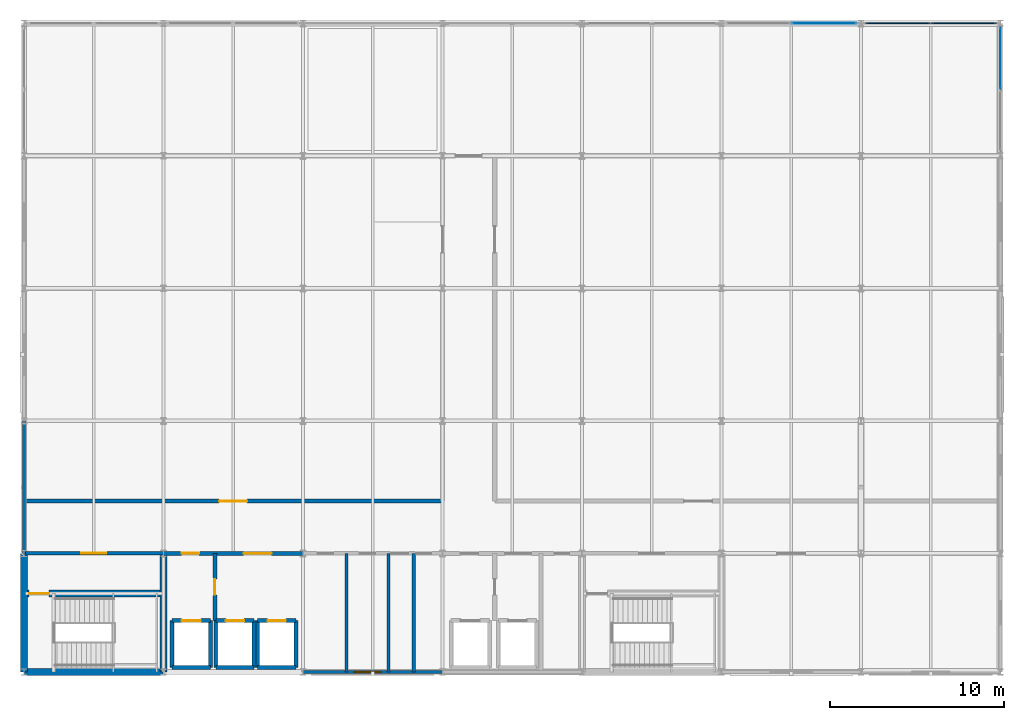
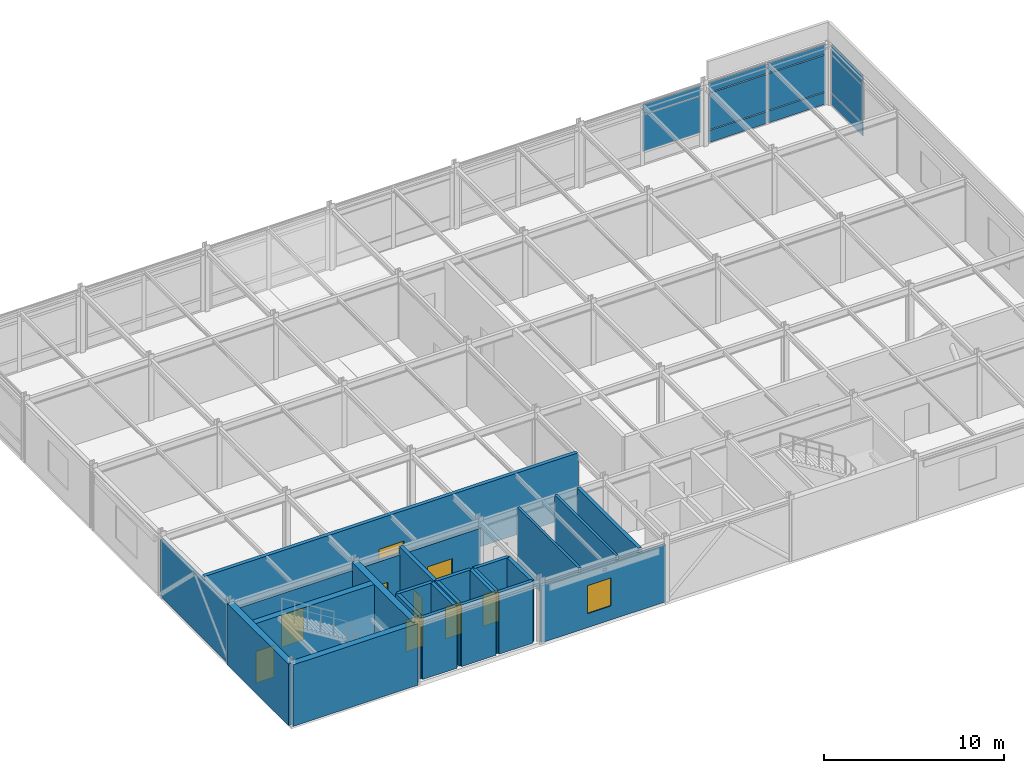
# One storey, part 13 of 16: 25 walls, 11 plates, 9 doors, 1 window, 10 openings, 3 elements without a shape of their own.
"""IFC4 building model written with IfcOpenShell, lengths in metres."""

from ifc_helpers import new_model, si_unit, direction, frame, frame_2d, origin, origin_2d, place, context, subcontext, project, spatial, rectangle, extrude, material, layer, layer_set, type_object, element, fill, aggregate, save


model = new_model("IFC4")

# Units and contexts
model_context = context("Model", 3, precision=1e-05, world=origin(), true_north=direction((0.0, 1.0)))
body_context = subcontext(model_context, "Body", "Model", "MODEL_VIEW")
ifc_project = project(units=[si_unit("LENGTHUNIT", "METRE"), si_unit("AREAUNIT", "SQUARE_METRE"), si_unit("VOLUMEUNIT", "CUBIC_METRE"), si_unit("PLANEANGLEUNIT", "RADIAN"), si_unit("MASSUNIT", "GRAM", prefix="KILO")], contexts=[model_context])

# Site, building, storey
site_placement = place(None, origin())
site = spatial("IfcSite", under=ifc_project, at=site_placement, CompositionType="ELEMENT")
building_placement = place(site_placement, origin())
building = spatial("IfcBuilding", under=site, at=building_placement, Name="Shalkamar Park Central Library", CompositionType="ELEMENT")
storey_placement = place(building_placement, frame((0.0, 0.0, 51.60009765625)))
storey = spatial("IfcBuildingStorey", under=building, at=storey_placement, Name="L13", CompositionType="ELEMENT", Elevation=51.60009765625)

# Curtain wall, plates
ifc_material_1 = material(Name="Thermally broken aluminium and triple low-e curtain wall", Category="aluminium")
ifc_layer_1 = layer(ifc_material_1, 0.260009765625)
ifc_layer_set_1 = layer_set([ifc_layer_1], Name="UnitisedCurtainWall_89")
curtain_wall_type_1 = type_object("IfcCurtainWallType", Name="Unitised Curtain Wall 89", PredefinedType="USERDEFINED", material=ifc_layer_set_1)
curtain_wall_1_placement = place(storey_placement, origin())
curtain_wall_1 = element("IfcCurtainWall", 1, at=curtain_wall_1_placement, inside=storey, type_object=curtain_wall_type_1, Name="Unitised Curtain Wall CW-L13-148", ObjectType="UNITISED CURTAIN WALL", PredefinedType="USERDEFINED")
ifc_material_2 = material(Name="Triple-glazed laminated glass", Category="glass")
ifc_layer_2 = layer(ifc_material_2, 0.06005859375)
ifc_layer_set_2 = layer_set([ifc_layer_2], Name="TripleGlazedPodiumPanel_60")
plate_type_1 = type_object("IfcPlateType", Name="Triple Glazed Podium Panel 60", PredefinedType="CURTAIN_PANEL", material=ifc_layer_set_2)
plate_1_placement = place(storey_placement, frame((215.1171875, 285.60009765625, 0.059814453125), z_axis=(0.0, 0.0, 1.0), x_axis=(1.0, 0.0, 0.0)))
plate_1 = element("IfcPlate", 2, at=plate_1_placement, type_object=plate_type_1, Name="CW-89 panel 1.1", PredefinedType="CURTAIN_PANEL", context=body_context, shape_type="SweptSolid", body=[
    extrude(rectangle(XDim=3.699462890625, YDim=0.06005859375, at=origin_2d()), origin(), (0.0, 0.0, 1.0), 0.81005859375),
])
plate_2_placement = place(storey_placement, frame((215.1171875, 285.60009765625, 0.9296875), z_axis=(0.0, 0.0, 1.0), x_axis=(1.0, 0.0, 0.0)))
plate_2 = element("IfcPlate", 3, at=plate_2_placement, type_object=plate_type_1, Name="CW-89 panel 1.2", PredefinedType="CURTAIN_PANEL", context=body_context, shape_type="SweptSolid", body=[
    extrude(rectangle(XDim=3.699462890625, YDim=0.06005859375, at=origin_2d()), origin(), (0.0, 0.0, 1.0), 2.469970703125),
])
plate_3_placement = place(storey_placement, frame((215.1171875, 285.60009765625, 3.4599609375), z_axis=(0.0, 0.0, 1.0), x_axis=(1.0, 0.0, 0.0)))
plate_3 = element("IfcPlate", 4, at=plate_3_placement, type_object=plate_type_1, Name="CW-89 panel 1.3", PredefinedType="CURTAIN_PANEL", context=body_context, shape_type="SweptSolid", body=[
    extrude(rectangle(XDim=3.699462890625, YDim=0.06005859375, at=origin_2d()), origin(), (0.0, 0.0, 1.0), 0.659912109375),
])
plate_4_placement = place(storey_placement, frame((218.891845703125, 285.60009765625, 0.059814453125), z_axis=(0.0, 0.0, 1.0), x_axis=(1.0, 0.0, 0.0)))
plate_4 = element("IfcPlate", 5, at=plate_4_placement, type_object=plate_type_1, Name="CW-89 panel 2.1", PredefinedType="CURTAIN_PANEL", context=body_context, shape_type="SweptSolid", body=[
    extrude(rectangle(XDim=3.699462890625, YDim=0.06005859375, at=origin_2d()), origin(), (0.0, 0.0, 1.0), 0.81005859375),
])
plate_5_placement = place(storey_placement, frame((218.891845703125, 285.60009765625, 0.9296875), z_axis=(0.0, 0.0, 1.0), x_axis=(1.0, 0.0, 0.0)))
plate_5 = element("IfcPlate", 6, at=plate_5_placement, type_object=plate_type_1, Name="CW-89 panel 2.2", PredefinedType="CURTAIN_PANEL", context=body_context, shape_type="SweptSolid", body=[
    extrude(rectangle(XDim=3.699462890625, YDim=0.06005859375, at=origin_2d()), origin(), (0.0, 0.0, 1.0), 2.469970703125),
])
plate_6_placement = place(storey_placement, frame((218.891845703125, 285.60009765625, 3.4599609375), z_axis=(0.0, 0.0, 1.0), x_axis=(1.0, 0.0, 0.0)))
plate_6 = element("IfcPlate", 7, at=plate_6_placement, type_object=plate_type_1, Name="CW-89 panel 2.3", PredefinedType="CURTAIN_PANEL", context=body_context, shape_type="SweptSolid", body=[
    extrude(rectangle(XDim=3.699462890625, YDim=0.06005859375, at=origin_2d()), origin(), (0.0, 0.0, 1.0), 0.659912109375),
])
aggregate(curtain_wall_1, [plate_1, plate_2, plate_3, plate_4, plate_5, plate_6])

ifc_layer_3 = layer(ifc_material_1, 0.25)
ifc_layer_set_3 = layer_set([ifc_layer_3], Name="UnitisedCurtainWall_94")
curtain_wall_type_2 = type_object("IfcCurtainWallType", Name="Unitised Curtain Wall 94", PredefinedType="USERDEFINED", material=ifc_layer_set_3)
curtain_wall_2_placement = place(storey_placement, origin())
curtain_wall_2 = element("IfcCurtainWall", 8, at=curtain_wall_2_placement, inside=storey, type_object=curtain_wall_type_2, Name="Unitised Curtain Wall CW-L13-147", ObjectType="UNITISED CURTAIN WALL", PredefinedType="USERDEFINED")
ifc_material_3 = material(Name="Triple-glazed low-e safety glass", Category="glass")
ifc_layer_4 = layer(ifc_material_3, 0.0439453125)
ifc_layer_set_4 = layer_set([ifc_layer_4], Name="TripleGlazedVisionPanel_44")
plate_type_2 = type_object("IfcPlateType", Name="Triple Glazed Vision Panel 44", PredefinedType="CURTAIN_PANEL", material=ifc_layer_set_4)
plate_7_placement = place(storey_placement, frame((210.8828125, 285.60009765625, 0.9296875), z_axis=(0.0, 0.0, 1.0), x_axis=(1.0, 0.0, 0.0)))
plate_7 = element("IfcPlate", 9, at=plate_7_placement, type_object=plate_type_2, Name="CW-94 panel 2.2", PredefinedType="CURTAIN_PANEL", context=body_context, shape_type="SweptSolid", body=[
    extrude(rectangle(XDim=3.699462890625, YDim=0.0439453125, at=origin_2d()), origin(), (0.0, 0.0, 1.0), 2.469970703125),
])
plate_8_placement = place(storey_placement, frame((210.8828125, 285.60009765625, 3.4599609375), z_axis=(0.0, 0.0, 1.0), x_axis=(1.0, 0.0, 0.0)))
plate_8 = element("IfcPlate", 10, at=plate_8_placement, type_object=plate_type_2, Name="CW-94 panel 2.3", PredefinedType="CURTAIN_PANEL", context=body_context, shape_type="SweptSolid", body=[
    extrude(rectangle(XDim=3.699462890625, YDim=0.0439453125, at=origin_2d()), origin(), (0.0, 0.0, 1.0), 0.659912109375),
])
aggregate(curtain_wall_2, [plate_7, plate_8])

ifc_layer_5 = layer(ifc_material_1, 0.2548828125)
ifc_layer_set_5 = layer_set([ifc_layer_5], Name="UnitisedCurtainWall_96")
curtain_wall_type_3 = type_object("IfcCurtainWallType", Name="Unitised Curtain Wall 96", PredefinedType="USERDEFINED", material=ifc_layer_set_5)
curtain_wall_3_placement = place(storey_placement, origin())
curtain_wall_3 = element("IfcCurtainWall", 11, at=curtain_wall_3_placement, inside=storey, type_object=curtain_wall_type_3, Name="Unitised Curtain Wall CW-L13-150", ObjectType="UNITISED CURTAIN WALL", PredefinedType="USERDEFINED")
plate_9_placement = place(storey_placement, frame((221.0, 283.588134765625, 0.06494140625), z_axis=(0.0, 0.0, 1.0), x_axis=(0.0, 1.0, 0.0)))
plate_9 = element("IfcPlate", 12, at=plate_9_placement, type_object=plate_type_2, Name="CW-96 panel 2.1", PredefinedType="CURTAIN_PANEL", context=body_context, shape_type="SweptSolid", body=[
    extrude(rectangle(XDim=3.49658203125, YDim=0.0439453125, at=origin_2d()), origin(), (0.0, 0.0, 1.0), 0.802490234375),
])
plate_10_placement = place(storey_placement, frame((221.0, 283.588134765625, 0.9326171875), z_axis=(0.0, 0.0, 1.0), x_axis=(0.0, 1.0, 0.0)))
plate_10 = element("IfcPlate", 13, at=plate_10_placement, type_object=plate_type_2, Name="CW-96 panel 2.2", PredefinedType="CURTAIN_PANEL", context=body_context, shape_type="SweptSolid", body=[
    extrude(rectangle(XDim=3.49658203125, YDim=0.0439453125, at=origin_2d()), origin(), (0.0, 0.0, 1.0), 2.534912109375),
])
plate_11_placement = place(storey_placement, frame((221.0, 283.588134765625, 3.5322265625), z_axis=(0.0, 0.0, 1.0), x_axis=(0.0, 1.0, 0.0)))
plate_11 = element("IfcPlate", 14, at=plate_11_placement, type_object=plate_type_2, Name="CW-96 panel 2.3", PredefinedType="CURTAIN_PANEL", context=body_context, shape_type="SweptSolid", body=[
    extrude(rectangle(XDim=3.49658203125, YDim=0.0439453125, at=origin_2d()), origin(), (0.0, 0.0, 1.0), 0.652587890625),
])
aggregate(curtain_wall_3, [plate_9, plate_10, plate_11])

# Wall, opening, door
ifc_material_4 = material(Name="Reinforced fire-compartment masonry wall", Category="masonry")
ifc_layer_6 = layer(ifc_material_4, 0.239990234375)
ifc_layer_set_6 = layer_set([ifc_layer_6], Name="CompartmentWall_240")
wall_type_1 = type_object("IfcWallType", Name="Compartment Wall 240", PredefinedType="PARTITIONING", material=ifc_layer_set_6)
wall_1_placement = place(storey_placement, frame((175.949951171875, 251.35009765625, 0.0), z_axis=(0.0, 0.0, 1.0), x_axis=(0.0, 1.0, 0.0)))
wall_1 = element("IfcWall", 15, at=wall_1_placement, inside=storey, type_object=wall_type_1, Name="Interior Partition WL-INT-L13-001", PredefinedType="PARTITIONING", context=body_context, shape_type="SweptSolid", body=[
    extrude(rectangle(XDim=3.849853515625, YDim=0.239990234375, at=frame_2d((1.9248046875, 0.0))), origin(), (0.0, 0.0, 1.0), 4.179931640625),
])
opening_1_placement = place(wall_1_placement, frame((1.47509765625, 0.0, 0.0)))
opening_1 = element("IfcOpeningElement", 16, at=opening_1_placement, cuts=wall_1, Name="Opening DR-L13-001", PredefinedType="OPENING", context=body_context, shape_type="SweptSolid", body=[
    extrude(rectangle(XDim=0.89990234375, YDim=2.10009765625, at=frame_2d((0.449951171875, 1.050048828125))), frame((0.0, 0.134765625, 0.0), z_axis=(0.0, -1.0, 0.0), x_axis=(1.0, 0.0, 0.0)), (0.0, 0.0, 1.0), 0.269775390625),
])
ifc_material_5 = material(Name="Steel S355", Category="steel")
door_type_1 = type_object("IfcDoorType", Name="Fire Door Single 900x2100", OperationType="NOTDEFINED", PredefinedType="DOOR", material=ifc_material_5)
door_1_placement = place(opening_1_placement, frame((0.89990234375, 0.0, 0.0), z_axis=(0.0, 0.0, 1.0), x_axis=(-1.0, 0.0, 0.0)))
door_1 = element("IfcDoor", 17, at=door_1_placement, inside=storey, type_object=door_type_1, Name="Fire Lobby Interconnect Door", OperationType="SINGLE_SWING_LEFT", OverallHeight=2.10009765625, OverallWidth=0.89990234375, PredefinedType="DOOR", context=body_context, shape_type="SweptSolid", body=[
    extrude(rectangle(XDim=0.89990234375, YDim=2.10009765625, at=frame_2d((0.449951171875, 1.050048828125))), frame((0.0, 0.02490234375, 0.0), z_axis=(0.0, -1.0, 0.0), x_axis=(1.0, 0.0, 0.0)), (0.0, 0.0, 1.0), 0.050048828125),
])
fill(opening_1, door_1)

# Wall, openings, doors
wall_2_placement = place(storey_placement, frame((173.0, 255.199951171875, 0.0), z_axis=(0.0, 0.0, 1.0), x_axis=(1.0, 0.0, 0.0)))
wall_2 = element("IfcWall", 18, at=wall_2_placement, inside=storey, type_object=wall_type_1, Name="Interior Partition WL-INT-L13-007", PredefinedType="PARTITIONING", context=body_context, shape_type="SweptSolid", body=[
    extrude(rectangle(XDim=8.0, YDim=0.239990234375, at=frame_2d((4.0, 0.0))), origin(), (0.0, 0.0, 1.0), 3.677978515625),
])
opening_2_placement = place(wall_2_placement, frame((1.050048828125, 0.0, 0.0)))
opening_2 = element("IfcOpeningElement", 19, at=opening_2_placement, cuts=wall_2, Name="Opening DR-L13-003", PredefinedType="OPENING", context=body_context, shape_type="SweptSolid", body=[
    extrude(rectangle(XDim=1.0, YDim=2.10009765625, at=frame_2d((0.5, 1.050048828125))), frame((0.0, 0.134765625, 0.0), z_axis=(0.0, -1.0, 0.0), x_axis=(1.0, 0.0, 0.0)), (0.0, 0.0, 1.0), 0.269775390625),
])
opening_3_placement = place(wall_2_placement, frame((4.60009765625, 0.0, 0.0)))
opening_3 = element("IfcOpeningElement", 20, at=opening_3_placement, cuts=wall_2, Name="Opening DR-L13-004", PredefinedType="OPENING", context=body_context, shape_type="SweptSolid", body=[
    extrude(rectangle(XDim=1.60009765625, YDim=2.25, at=frame_2d((0.800048828125, 1.125))), frame((0.0, 0.134765625, 0.0), z_axis=(0.0, -1.0, 0.0), x_axis=(1.0, 0.0, 0.0)), (0.0, 0.0, 1.0), 0.269775390625),
])
door_type_2 = type_object("IfcDoorType", Name="Fire Door Single 1000x2100", OperationType="NOTDEFINED", PredefinedType="DOOR", material=ifc_material_5)
door_2_placement = place(opening_2_placement, frame((1.0, 0.0, 0.0), z_axis=(0.0, 0.0, 1.0), x_axis=(-1.0, 0.0, 0.0)))
door_2 = element("IfcDoor", 21, at=door_2_placement, inside=storey, type_object=door_type_2, Name="West Firefighting Lobby Door", OperationType="SINGLE_SWING_RIGHT", OverallHeight=2.10009765625, OverallWidth=1.0, PredefinedType="DOOR", context=body_context, shape_type="SweptSolid", body=[
    extrude(rectangle(XDim=1.0, YDim=2.10009765625, at=frame_2d((0.5, 1.050048828125))), frame((0.0, 0.02490234375, 0.0), z_axis=(0.0, -1.0, 0.0), x_axis=(1.0, 0.0, 0.0)), (0.0, 0.0, 1.0), 0.050048828125),
])
fill(opening_2, door_2)
door_type_3 = type_object("IfcDoorType", Name="Interior Door Double 1600x2250", OperationType="DOUBLE_DOOR_SINGLE_SWING", PredefinedType="DOOR", material=ifc_material_5)
door_3_placement = place(opening_3_placement, origin())
door_3 = element("IfcDoor", 22, at=door_3_placement, inside=storey, type_object=door_type_3, Name="West Lift Lobby Entrance", OperationType="DOUBLE_DOOR_SINGLE_SWING", OverallHeight=2.25, OverallWidth=1.60009765625, PredefinedType="DOOR", context=body_context, shape_type="SweptSolid", body=[
    extrude(rectangle(XDim=1.60009765625, YDim=2.25, at=frame_2d((0.800048828125, 1.125))), frame((0.0, 0.02490234375, 0.0), z_axis=(0.0, -1.0, 0.0), x_axis=(1.0, 0.0, 0.0)), (0.0, 0.0, 1.0), 0.050048828125),
])
fill(opening_3, door_3)

# Wall, opening, door
wall_3_placement = place(storey_placement, frame((165.0, 258.199951171875, 0.0), z_axis=(0.0, 0.0, 1.0), x_axis=(1.0, 0.0, 0.0)))
wall_3 = element("IfcWall", 23, at=wall_3_placement, inside=storey, type_object=wall_type_1, Name="Interior Partition WL-INT-L13-011", PredefinedType="PARTITIONING", context=body_context, shape_type="SweptSolid", body=[
    extrude(rectangle(XDim=24.0, YDim=0.239990234375, at=frame_2d((12.0, 0.0))), origin(), (0.0, 0.0, 1.0), 4.179931640625),
])
opening_4_placement = place(wall_3_placement, frame((11.199951171875, 0.0, 0.0)))
opening_4 = element("IfcOpeningElement", 24, at=opening_4_placement, cuts=wall_3, Name="Opening DR-L13-013", PredefinedType="OPENING", context=body_context, shape_type="SweptSolid", body=[
    extrude(rectangle(XDim=1.60009765625, YDim=2.10009765625, at=frame_2d((0.800048828125, 1.050048828125))), frame((0.0, 0.134765625, 0.0), z_axis=(0.0, -1.0, 0.0), x_axis=(1.0, 0.0, 0.0)), (0.0, 0.0, 1.0), 0.269775390625),
])
door_type_4 = type_object("IfcDoorType", Name="Fire Door Double 1600x2100", OperationType="DOUBLE_DOOR_SINGLE_SWING", PredefinedType="DOOR", material=ifc_material_5)
door_4_placement = place(opening_4_placement, origin())
door_4 = element("IfcDoor", 25, at=door_4_placement, inside=storey, type_object=door_type_4, Name="Archive Desiccant AHU Room Door", OperationType="DOUBLE_DOOR_SINGLE_SWING", OverallHeight=2.10009765625, OverallWidth=1.60009765625, PredefinedType="DOOR", context=body_context, shape_type="SweptSolid", body=[
    extrude(rectangle(XDim=1.60009765625, YDim=2.10009765625, at=frame_2d((0.800048828125, 1.050048828125))), frame((0.0, 0.02490234375, 0.0), z_axis=(0.0, -1.0, 0.0), x_axis=(1.0, 0.0, 0.0)), (0.0, 0.0, 1.0), 0.050048828125),
])
fill(opening_4, door_4)

ifc_material_6 = material(Name="Fire-rated corridor partition wall", Category="masonry")
ifc_layer_7 = layer(ifc_material_6, 0.199951171875)
ifc_layer_set_7 = layer_set([ifc_layer_7], Name="CorridorFireWall_200")
wall_type_2 = type_object("IfcWallType", Name="Corridor Fire Wall 200", PredefinedType="PARTITIONING", material=ifc_layer_set_7)
wall_4_placement = place(storey_placement, frame((165.0, 255.199951171875, 0.0), z_axis=(0.0, 0.0, 1.0), x_axis=(1.0, 0.0, 0.0)))
wall_4 = element("IfcWall", 26, at=wall_4_placement, inside=storey, type_object=wall_type_2, Name="CORE-T1 Vestibule North Wall (L13)", PredefinedType="PARTITIONING", context=body_context, shape_type="SweptSolid", body=[
    extrude(rectangle(XDim=8.0, YDim=0.199951171875, at=frame_2d((4.0, 0.0))), origin(), (0.0, 0.0, 1.0), 3.677978515625),
])
opening_5_placement = place(wall_4_placement, frame((3.27490234375, 0.0, 0.0)))
opening_5 = element("IfcOpeningElement", 27, at=opening_5_placement, cuts=wall_4, Name="Opening DR-ST-T1-L13-VEST", PredefinedType="OPENING", context=body_context, shape_type="SweptSolid", body=[
    extrude(rectangle(XDim=1.449951171875, YDim=2.199951171875, at=frame_2d((0.72509765625, 1.10009765625))), frame((0.0, 0.11474609375, 0.0), z_axis=(0.0, -1.0, 0.0), x_axis=(1.0, 0.0, 0.0)), (0.0, 0.0, 1.0), 0.229736328125),
])
door_type_5 = type_object("IfcDoorType", Name="Stair Vestibule Door 1450x2200", OperationType="DOUBLE_DOOR_SINGLE_SWING", PredefinedType="DOOR", material=ifc_material_5)
door_5_placement = place(opening_5_placement, frame((1.449951171875, 0.0, 0.0), z_axis=(0.0, 0.0, 1.0), x_axis=(-1.0, 0.0, 0.0)))
door_5 = element("IfcDoor", 28, at=door_5_placement, inside=storey, type_object=door_type_5, Name="Protected Stair ST-T1 Vestibule Door (L13)", OperationType="DOUBLE_DOOR_SINGLE_SWING", OverallHeight=2.199951171875, OverallWidth=1.449951171875, PredefinedType="DOOR", context=body_context, shape_type="SweptSolid", body=[
    extrude(rectangle(XDim=1.449951171875, YDim=2.199951171875, at=frame_2d((0.72509765625, 1.10009765625))), frame((0.0, 0.02490234375, 0.0), z_axis=(0.0, -1.0, 0.0), x_axis=(1.0, 0.0, 0.0)), (0.0, 0.0, 1.0), 0.050048828125),
])
fill(opening_5, door_5)

# Walls
ifc_material_7 = material(Name="Concrete C40/50", Category="concrete")
ifc_layer_8 = layer(ifc_material_7, 0.219970703125)
ifc_layer_set_8 = layer_set([ifc_layer_8], Name="Concrete C40/50")
wall_type_3 = type_object("IfcWallType", Name="Lift Hoistway Shear Wall 220", PredefinedType="SHEAR", material=ifc_layer_set_8)
wall_5_placement = place(storey_placement, frame((173.5, 248.64990234375, 0.0), z_axis=(0.0, 0.0, 1.0), x_axis=(1.0, 0.0, 0.0)))
element("IfcWall", 29, at=wall_5_placement, inside=storey, type_object=wall_type_3, Name="Lift FFL-01 Hoistway South Wall (L13)", PredefinedType="SHEAR", context=body_context, shape_type="SweptSolid", body=[
    extrude(rectangle(XDim=2.199951171875, YDim=0.219970703125, at=frame_2d((1.10009765625, 0.0))), origin(), (0.0, 0.0, 1.0), 4.179931640625),
])
for number, where, z_axis, x_axis, name in (
    (30, (173.5, 248.64990234375, 0.0), (0.0, 0.0, 1.0), (0.0, 1.0, 0.0), "Lift FFL-01 Hoistway West Wall (L13)"),
    (31, (175.699951171875, 248.64990234375, 0.0), (0.0, 0.0, 1.0), (0.0, 1.0, 0.0), "Lift FFL-01 Hoistway East Wall (L13)"),
):
    element("IfcWall", number, at=place(storey_placement, frame(where, z_axis=z_axis, x_axis=x_axis)), inside=storey, type_object=wall_type_3, Name=name, PredefinedType="SHEAR", context=body_context, shape_type="SweptSolid", body=[
        extrude(rectangle(XDim=2.7001953125, YDim=0.219970703125, at=frame_2d((1.35009765625, 0.0))), origin(), (0.0, 0.0, 1.0), 4.179931640625),
    ])

# Wall, opening, door
wall_6_placement = place(storey_placement, frame((173.5, 251.35009765625, 0.0), z_axis=(0.0, 0.0, 1.0), x_axis=(1.0, 0.0, 0.0)))
wall_6 = element("IfcWall", 32, at=wall_6_placement, inside=storey, type_object=wall_type_3, Name="Lift FFL-01 Hoistway Front Wall (L13)", PredefinedType="SHEAR", context=body_context, shape_type="SweptSolid", body=[
    extrude(rectangle(XDim=2.199951171875, YDim=0.219970703125, at=frame_2d((1.10009765625, 0.0))), origin(), (0.0, 0.0, 1.0), 4.179931640625),
])
opening_6_placement = place(wall_6_placement, frame((0.550048828125, 0.0, 0.0)))
opening_6 = element("IfcOpeningElement", 33, at=opening_6_placement, cuts=wall_6, Name="Opening LD-FFL-01-L13", PredefinedType="OPENING", context=body_context, shape_type="SweptSolid", body=[
    extrude(rectangle(XDim=1.10009765625, YDim=2.14990234375, at=frame_2d((0.550048828125, 1.074951171875))), frame((0.0, 0.125, 0.0), z_axis=(0.0, -1.0, 0.0), x_axis=(1.0, 0.0, 0.0)), (0.0, 0.0, 1.0), 0.249755859375),
])
door_type_6 = type_object("IfcDoorType", Name="Fire Lift Landing Door 1100x2150", OperationType="DOUBLE_DOOR_SLIDING", PredefinedType="USERDEFINED", material=ifc_material_5)
door_6_placement = place(opening_6_placement, origin())
door_6 = element("IfcDoor", 34, at=door_6_placement, inside=storey, type_object=door_type_6, Name="Lift FFL-01 Sliding Landing Door (L13)", ObjectType="SLIDING LANDING DOOR", OperationType="DOUBLE_DOOR_SLIDING", OverallHeight=2.14990234375, OverallWidth=1.10009765625, PredefinedType="USERDEFINED", context=body_context, shape_type="SweptSolid", body=[
    extrude(rectangle(XDim=1.10009765625, YDim=2.14990234375, at=frame_2d((0.550048828125, 1.074951171875))), frame((0.0, 0.02490234375, 0.0), z_axis=(0.0, -1.0, 0.0), x_axis=(1.0, 0.0, 0.0)), (0.0, 0.0, 1.0), 0.050048828125),
])
fill(opening_6, door_6)

# Walls
wall_7_placement = place(storey_placement, frame((176.0, 248.64990234375, 0.0), z_axis=(0.0, 0.0, 1.0), x_axis=(1.0, 0.0, 0.0)))
element("IfcWall", 35, at=wall_7_placement, inside=storey, type_object=wall_type_3, Name="Lift LT-01 Hoistway South Wall (L13)", PredefinedType="SHEAR", context=body_context, shape_type="SweptSolid", body=[
    extrude(rectangle(XDim=2.199951171875, YDim=0.219970703125, at=frame_2d((1.10009765625, 0.0))), origin(), (0.0, 0.0, 1.0), 4.179931640625),
])
for number, where, z_axis, x_axis, name in (
    (36, (176.0, 248.64990234375, 0.0), (0.0, 0.0, 1.0), (0.0, 1.0, 0.0), "Lift LT-01 Hoistway West Wall (L13)"),
    (37, (178.199951171875, 248.64990234375, 0.0), (0.0, 0.0, 1.0), (0.0, 1.0, 0.0), "Lift LT-01 Hoistway East Wall (L13)"),
):
    element("IfcWall", number, at=place(storey_placement, frame(where, z_axis=z_axis, x_axis=x_axis)), inside=storey, type_object=wall_type_3, Name=name, PredefinedType="SHEAR", context=body_context, shape_type="SweptSolid", body=[
        extrude(rectangle(XDim=2.7001953125, YDim=0.219970703125, at=frame_2d((1.35009765625, 0.0))), origin(), (0.0, 0.0, 1.0), 4.179931640625),
    ])

# Wall, opening, door
wall_8_placement = place(storey_placement, frame((176.0, 251.35009765625, 0.0), z_axis=(0.0, 0.0, 1.0), x_axis=(1.0, 0.0, 0.0)))
wall_8 = element("IfcWall", 38, at=wall_8_placement, inside=storey, type_object=wall_type_3, Name="Lift LT-01 Hoistway Front Wall (L13)", PredefinedType="SHEAR", context=body_context, shape_type="SweptSolid", body=[
    extrude(rectangle(XDim=2.199951171875, YDim=0.219970703125, at=frame_2d((1.10009765625, 0.0))), origin(), (0.0, 0.0, 1.0), 4.179931640625),
])
opening_7_placement = place(wall_8_placement, frame((0.574951171875, 0.0, 0.0)))
opening_7 = element("IfcOpeningElement", 39, at=opening_7_placement, cuts=wall_8, Name="Opening LD-LT-01-L13", PredefinedType="OPENING", context=body_context, shape_type="SweptSolid", body=[
    extrude(rectangle(XDim=1.050048828125, YDim=2.14990234375, at=frame_2d((0.52490234375, 1.074951171875))), frame((0.0, 0.125, 0.0), z_axis=(0.0, -1.0, 0.0), x_axis=(1.0, 0.0, 0.0)), (0.0, 0.0, 1.0), 0.249755859375),
])
door_type_7 = type_object("IfcDoorType", Name="Passenger Lift Landing Door 1050x2150", OperationType="DOUBLE_DOOR_SLIDING", PredefinedType="USERDEFINED", material=ifc_material_5)
door_7_placement = place(opening_7_placement, origin())
door_7 = element("IfcDoor", 40, at=door_7_placement, inside=storey, type_object=door_type_7, Name="Lift LT-01 Sliding Landing Door (L13)", ObjectType="SLIDING LANDING DOOR", OperationType="DOUBLE_DOOR_SLIDING", OverallHeight=2.14990234375, OverallWidth=1.050048828125, PredefinedType="USERDEFINED", context=body_context, shape_type="SweptSolid", body=[
    extrude(rectangle(XDim=1.050048828125, YDim=2.14990234375, at=frame_2d((0.52490234375, 1.074951171875))), frame((0.0, 0.02490234375, 0.0), z_axis=(0.0, -1.0, 0.0), x_axis=(1.0, 0.0, 0.0)), (0.0, 0.0, 1.0), 0.050048828125),
])
fill(opening_7, door_7)

# Walls
wall_9_placement = place(storey_placement, frame((178.39990234375, 248.64990234375, 0.0), z_axis=(0.0, 0.0, 1.0), x_axis=(1.0, 0.0, 0.0)))
element("IfcWall", 41, at=wall_9_placement, inside=storey, type_object=wall_type_3, Name="Lift LT-02 Hoistway South Wall (L13)", PredefinedType="SHEAR", context=body_context, shape_type="SweptSolid", body=[
    extrude(rectangle(XDim=2.2001953125, YDim=0.219970703125, at=frame_2d((1.10009765625, 0.0))), origin(), (0.0, 0.0, 1.0), 4.179931640625),
])
for number, where, z_axis, x_axis, name in (
    (42, (178.39990234375, 248.64990234375, 0.0), (0.0, 0.0, 1.0), (0.0, 1.0, 0.0), "Lift LT-02 Hoistway West Wall (L13)"),
    (43, (180.60009765625, 248.64990234375, 0.0), (0.0, 0.0, 1.0), (0.0, 1.0, 0.0), "Lift LT-02 Hoistway East Wall (L13)"),
):
    element("IfcWall", number, at=place(storey_placement, frame(where, z_axis=z_axis, x_axis=x_axis)), inside=storey, type_object=wall_type_3, Name=name, PredefinedType="SHEAR", context=body_context, shape_type="SweptSolid", body=[
        extrude(rectangle(XDim=2.7001953125, YDim=0.219970703125, at=frame_2d((1.35009765625, 0.0))), origin(), (0.0, 0.0, 1.0), 4.179931640625),
    ])

# Wall, opening, door
wall_10_placement = place(storey_placement, frame((178.39990234375, 251.35009765625, 0.0), z_axis=(0.0, 0.0, 1.0), x_axis=(1.0, 0.0, 0.0)))
wall_10 = element("IfcWall", 44, at=wall_10_placement, inside=storey, type_object=wall_type_3, Name="Lift LT-02 Hoistway Front Wall (L13)", PredefinedType="SHEAR", context=body_context, shape_type="SweptSolid", body=[
    extrude(rectangle(XDim=2.2001953125, YDim=0.219970703125, at=frame_2d((1.10009765625, 0.0))), origin(), (0.0, 0.0, 1.0), 4.179931640625),
])
opening_8_placement = place(wall_10_placement, frame((0.574951171875, 0.0, 0.0)))
opening_8 = element("IfcOpeningElement", 45, at=opening_8_placement, cuts=wall_10, Name="Opening LD-LT-02-L13", PredefinedType="OPENING", context=body_context, shape_type="SweptSolid", body=[
    extrude(rectangle(XDim=1.050048828125, YDim=2.14990234375, at=frame_2d((0.52490234375, 1.074951171875))), frame((0.0, 0.125, 0.0), z_axis=(0.0, -1.0, 0.0), x_axis=(1.0, 0.0, 0.0)), (0.0, 0.0, 1.0), 0.249755859375),
])
door_8_placement = place(opening_8_placement, origin())
door_8 = element("IfcDoor", 46, at=door_8_placement, inside=storey, type_object=door_type_7, Name="Lift LT-02 Sliding Landing Door (L13)", ObjectType="SLIDING LANDING DOOR", OperationType="DOUBLE_DOOR_SLIDING", OverallHeight=2.14990234375, OverallWidth=1.050048828125, PredefinedType="USERDEFINED", context=body_context, shape_type="SweptSolid", body=[
    extrude(rectangle(XDim=1.050048828125, YDim=2.14990234375, at=frame_2d((0.52490234375, 1.074951171875))), frame((0.0, 0.02490234375, 0.0), z_axis=(0.0, -1.0, 0.0), x_axis=(1.0, 0.0, 0.0)), (0.0, 0.0, 1.0), 0.050048828125),
])
fill(opening_8, door_8)

# Walls
ifc_material_8 = material(Name="Moisture-resistant sanitary partition", Category="masonry")
ifc_layer_9 = layer(ifc_material_8, 0.159912109375)
ifc_layer_set_9 = layer_set([ifc_layer_9], Name="PlumbingChaseWall_160")
wall_type_4 = type_object("IfcWallType", Name="Plumbing Chase Wall 160", PredefinedType="PARTITIONING", material=ifc_layer_set_9)
for number, where, z_axis, x_axis, name in (
    (47, (183.5, 248.39990234375, 0.0), (0.0, 0.0, 1.0), (0.0, 1.0, 0.0), "Interior Partition WL-INT-L13-004"),
    (48, (185.89990234375, 248.39990234375, 0.0), (0.0, 0.0, 1.0), (0.0, 1.0, 0.0), "Interior Partition WL-INT-L13-005"),
):
    element("IfcWall", number, at=place(storey_placement, frame(where, z_axis=z_axis, x_axis=x_axis)), inside=storey, type_object=wall_type_4, Name=name, PredefinedType="PARTITIONING", context=body_context, shape_type="SweptSolid", body=[
        extrude(rectangle(XDim=6.800048828125, YDim=0.159912109375, at=frame_2d((3.39990234375, 0.0))), origin(), (0.0, 0.0, 1.0), 4.179931640625),
    ])
ifc_material_9 = material(Name="Fire-rated shaft enclosure wall", Category="masonry")
ifc_layer_10 = layer(ifc_material_9, 0.219970703125)
ifc_layer_set_10 = layer_set([ifc_layer_10], Name="ShaftWall_220")
wall_type_5 = type_object("IfcWallType", Name="Shaft Wall 220", PredefinedType="PARTITIONING", material=ifc_layer_set_10)
wall_11_placement = place(storey_placement, frame((187.35009765625, 248.39990234375, 0.0), z_axis=(0.0, 0.0, 1.0), x_axis=(0.0, 1.0, 0.0)))
element("IfcWall", 49, at=wall_11_placement, inside=storey, type_object=wall_type_5, Name="Interior Partition WL-INT-L13-006", PredefinedType="PARTITIONING", context=body_context, shape_type="SweptSolid", body=[
    extrude(rectangle(XDim=6.800048828125, YDim=0.219970703125, at=frame_2d((3.39990234375, 0.0))), origin(), (0.0, 0.0, 1.0), 4.179931640625),
])
ifc_layer_11 = layer(ifc_material_7, 0.39990234375)
ifc_layer_set_11 = layer_set([ifc_layer_11], Name="Concrete C40/50")
wall_type_6 = type_object("IfcWallType", Name="Tower Core Shear Wall 400", PredefinedType="SHEAR", material=ifc_layer_set_11)
wall_12_placement = place(storey_placement, frame((165.0, 248.39990234375, 0.0), z_axis=(0.0, 0.0, 1.0), x_axis=(1.0, 0.0, 0.0)))
element("IfcWall", 50, at=wall_12_placement, inside=storey, type_object=wall_type_6, Name="CORE-T1 South Shear Wall (L13)", PredefinedType="SHEAR", context=body_context, shape_type="SweptSolid", body=[
    extrude(rectangle(XDim=8.0, YDim=0.39990234375, at=frame_2d((4.0, 0.0))), origin(), (0.0, 0.0, 1.0), 4.179931640625),
])
for number, where, z_axis, x_axis, name in (
    (51, (165.0, 248.39990234375, 0.0), (0.0, 0.0, 1.0), (0.0, 1.0, 0.0), "CORE-T1 West Shear Wall (L13)"),
    (52, (173.0, 248.39990234375, 0.0), (0.0, 0.0, 1.0), (0.0, 1.0, 0.0), "CORE-T1 East Shear Wall (L13)"),
):
    element("IfcWall", number, at=place(storey_placement, frame(where, z_axis=z_axis, x_axis=x_axis)), inside=storey, type_object=wall_type_6, Name=name, PredefinedType="SHEAR", context=body_context, shape_type="SweptSolid", body=[
        extrude(rectangle(XDim=6.800048828125, YDim=0.39990234375, at=frame_2d((3.39990234375, 0.0))), origin(), (0.0, 0.0, 1.0), 4.179931640625),
    ])

# Wall, opening, door
wall_13_placement = place(storey_placement, frame((165.0, 252.89990234375, 0.0), z_axis=(0.0, 0.0, 1.0), x_axis=(1.0, 0.0, 0.0)))
wall_13 = element("IfcWall", 53, at=wall_13_placement, inside=storey, type_object=wall_type_6, Name="CORE-T1 Stairwell Wall (L13)", PredefinedType="SHEAR", context=body_context, shape_type="SweptSolid", body=[
    extrude(rectangle(XDim=8.0, YDim=0.39990234375, at=frame_2d((4.0, 0.0))), origin(), (0.0, 0.0, 1.0), 4.179931640625),
])
opening_9_placement = place(wall_13_placement, frame((0.300048828125, 0.0, 0.0)))
opening_9 = element("IfcOpeningElement", 54, at=opening_9_placement, cuts=wall_13, Name="Opening DR-ST-T1-L13-IN", PredefinedType="OPENING", context=body_context, shape_type="SweptSolid", body=[
    extrude(rectangle(XDim=1.14990234375, YDim=2.14990234375, at=frame_2d((0.574951171875, 1.074951171875))), frame((0.0, 0.21484375, 0.0), z_axis=(0.0, -1.0, 0.0), x_axis=(1.0, 0.0, 0.0)), (0.0, 0.0, 1.0), 0.4296875),
])
door_type_8 = type_object("IfcDoorType", Name="Stair Core Exit Door 1150x2150", OperationType="NOTDEFINED", PredefinedType="DOOR", material=ifc_material_5)
door_9_placement = place(opening_9_placement, frame((1.14990234375, 0.0, 0.0), z_axis=(0.0, 0.0, 1.0), x_axis=(-1.0, 0.0, 0.0)))
door_9 = element("IfcDoor", 55, at=door_9_placement, inside=storey, type_object=door_type_8, Name="Protected Stair ST-T1 Exit Door (L13)", OperationType="SINGLE_SWING_RIGHT", OverallHeight=2.14990234375, OverallWidth=1.14990234375, PredefinedType="DOOR", context=body_context, shape_type="SweptSolid", body=[
    extrude(rectangle(XDim=1.14990234375, YDim=2.14990234375, at=frame_2d((0.574951171875, 1.074951171875))), frame((0.0, 0.02490234375, 0.0), z_axis=(0.0, -1.0, 0.0), x_axis=(1.0, 0.0, 0.0)), (0.0, 0.0, 1.0), 0.050048828125),
])
fill(opening_9, door_9)

# Wall, opening, window
ifc_material_10 = material(Name="Terracotta insulated wall panel", Category="masonry")
ifc_layer_12 = layer(ifc_material_10, 0.179931640625)
ifc_layer_set_12 = layer_set([ifc_layer_12], Name="TowerSpandrelWall_180")
wall_type_7 = type_object("IfcWallType", Name="Tower Spandrel Wall 180", PredefinedType="SOLIDWALL", material=ifc_layer_set_12)
wall_14_placement = place(storey_placement, frame((181.006103515625, 248.39990234375, 0.0), z_axis=(0.0, 0.0, 1.0), x_axis=(1.0, 0.0, 0.0)))
wall_14 = element("IfcWall", 56, at=wall_14_placement, inside=storey, type_object=wall_type_7, Name="Exterior Facade Wall WL-EXT-L13-236", PredefinedType="SOLIDWALL", context=body_context, shape_type="SweptSolid", body=[
    extrude(rectangle(XDim=7.98779296875, YDim=0.179931640625, at=frame_2d((3.993896484375, 0.0))), origin(), (0.0, 0.0, 1.0), 3.867919921875),
])
opening_10_placement = place(wall_14_placement, frame((2.944091796875, 0.0, 0.949951171875)))
opening_10 = element("IfcOpeningElement", 57, at=opening_10_placement, cuts=wall_14, Name="Opening WN-14", PredefinedType="OPENING", context=body_context, shape_type="SweptSolid", body=[
    extrude(rectangle(XDim=1.5, YDim=1.89990234375, at=frame_2d((0.75, 0.949951171875))), frame((0.0, 0.10498046875, 0.0), z_axis=(0.0, -1.0, 0.0), x_axis=(1.0, 0.0, 0.0)), (0.0, 0.0, 1.0), 0.209716796875),
])
ifc_material_11 = material(Name="Thermally broken aluminium and triple low-e glass", Category="glass")
window_type = type_object("IfcWindowType", Name="Tower Window 1500x1900", PartitioningType="SINGLE_PANEL", PredefinedType="WINDOW", material=ifc_material_11)
window_placement = place(opening_10_placement, origin())
window = element("IfcWindow", 58, at=window_placement, inside=storey, type_object=window_type, Name="Facade Window WN-L13-173", OverallHeight=1.89990234375, OverallWidth=1.5, PartitioningType="SINGLE_PANEL", PredefinedType="WINDOW", context=body_context, shape_type="SweptSolid", body=[
    extrude(rectangle(XDim=1.5, YDim=1.89990234375, at=frame_2d((0.75, 0.949951171875))), frame((0.0, 0.030029296875, 0.0), z_axis=(0.0, -1.0, 0.0), x_axis=(1.0, 0.0, 0.0)), (0.0, 0.0, 1.0), 0.06005859375),
])
fill(opening_10, window)

# Wall
wall_15_placement = place(storey_placement, frame((165.0, 255.2060546875, 0.0), z_axis=(0.0, 0.0, 1.0), x_axis=(0.0, 1.0, 0.0)))
element("IfcWall", 59, at=wall_15_placement, inside=storey, type_object=wall_type_7, Name="Exterior Facade Wall WL-EXT-L13-240", PredefinedType="SOLIDWALL", context=body_context, shape_type="SweptSolid", body=[
    extrude(rectangle(XDim=7.587890625, YDim=0.179931640625, at=frame_2d((3.7939453125, 0.0))), origin(), (0.0, 0.0, 1.0), 3.907958984375),
])

save(model, "model.ifc")
